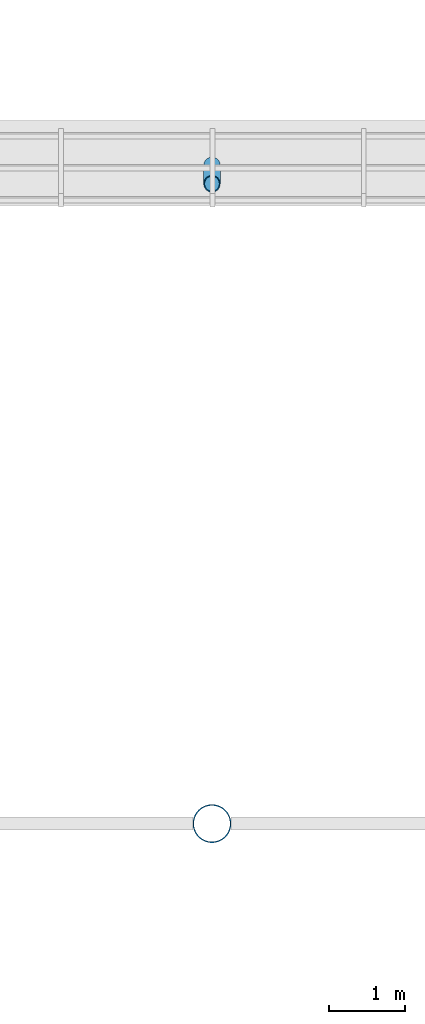
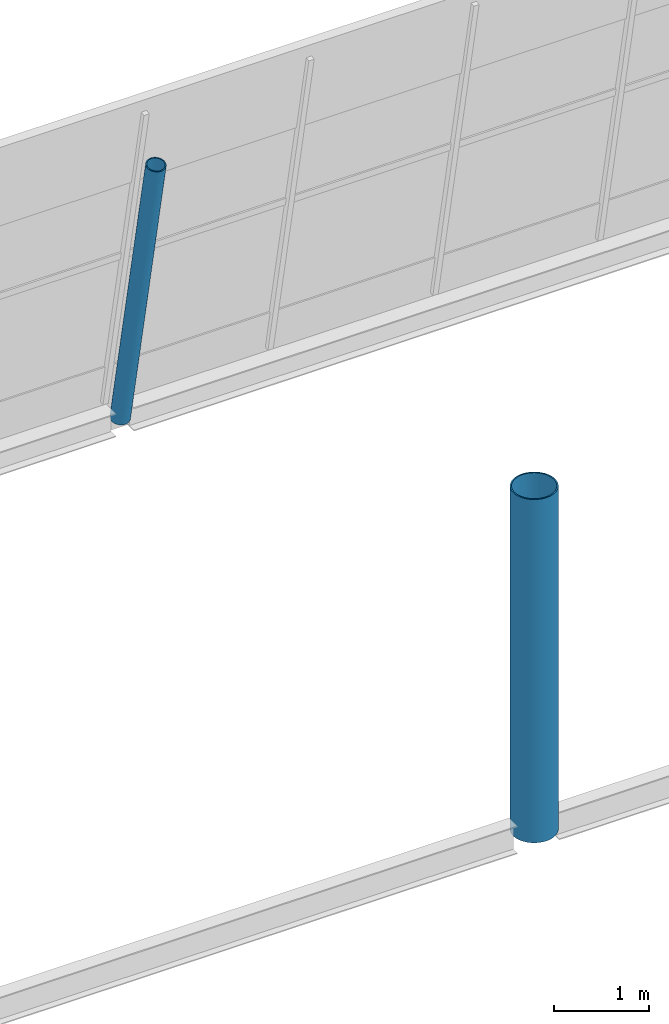
# One storey, part 3 of 50: 2 columns.
"""IFC4 building model written with IfcOpenShell, lengths in metres."""

from ifc_helpers import new_model, si_unit, direction, frame, origin, origin_2d, place, context, subcontext, project, spatial, hollow_circle, extrude, material, material_profile, profile_set, type_object, element, save


model = new_model("IFC4")

# Units and contexts
model_context = context("Model", 3, precision=1e-05, world=origin(), true_north=direction((0.0, 1.0)))
body_context = subcontext(model_context, "Body", "Model", "MODEL_VIEW")
ifc_project = project(units=[si_unit("LENGTHUNIT", "METRE"), si_unit("AREAUNIT", "SQUARE_METRE"), si_unit("VOLUMEUNIT", "CUBIC_METRE"), si_unit("PLANEANGLEUNIT", "RADIAN"), si_unit("MASSUNIT", "GRAM", prefix="KILO")], contexts=[model_context])

# Site, building, storey
site_placement = place(None, origin())
site = spatial("IfcSite", under=ifc_project, at=site_placement, CompositionType="ELEMENT")
building_placement = place(site_placement, origin())
building = spatial("IfcBuilding", under=site, at=building_placement, Name="Windward Yard Aquatics Centre", CompositionType="ELEMENT")
storey_placement = place(building_placement, frame((0.0, 0.0, 18.199951171875)))
storey = spatial("IfcBuildingStorey", under=building, at=storey_placement, Name="L04", CompositionType="ELEMENT", Elevation=18.199951171875)

# Columns
ifc_material = material(Name="Steel ASTM A500 Gr C", Category="steel")
ifc_material_profile_1 = material_profile(ifc_material, hollow_circle(Radius=0.25390625, WallThickness=0.015869140625, at=origin_2d()), Name="HSS508X15.9")
ifc_profile_set_1 = profile_set([ifc_material_profile_1], Name="Steel ASTM A500 Gr C")
column_type_1 = type_object("IfcColumnType", Name="H arch column HSS508X15.9", PredefinedType="COLUMN", material=ifc_profile_set_1)
column_1_placement = place(storey_placement, frame((108.0, 80.39990234375, 0.0), z_axis=(0.0, 0.0, 1.0), x_axis=(1.0, 0.0, 0.0)))
element("IfcColumn", 1, at=column_1_placement, inside=storey, type_object=column_type_1, Name="H.AC.N5.L04", PredefinedType="COLUMN", context=body_context, shape_type="SweptSolid", body=[
    extrude(hollow_circle(Radius=0.25390625, WallThickness=0.015869140625, at=origin_2d()), origin(), (0.0, 0.0, 1.0), 4.400146484375),
])
ifc_material_profile_2 = material_profile(ifc_material, hollow_circle(Radius=0.109619140625, WallThickness=0.0126953125, at=origin_2d()), Name="HSS219.1X12.7")
ifc_profile_set_2 = profile_set([ifc_material_profile_2], Name="Steel ASTM A500 Gr C")
column_type_2 = type_object("IfcColumnType", Name="H tier 2 leg HSS219.1X12.7", PredefinedType="COLUMN", material=ifc_profile_set_2)
column_2_placement = place(storey_placement, frame((108.0, 89.09521484375, 0.0), z_axis=(0.0, -0.199397546047, 0.979918679601), x_axis=(1.0, 0.0, 0.0)))
element("IfcColumn", 2, at=column_2_placement, inside=storey, type_object=column_type_2, Name="H.TL.N5.T2B.L04", PredefinedType="COLUMN", context=body_context, shape_type="SweptSolid", body=[
    extrude(hollow_circle(Radius=0.109619140625, WallThickness=0.0126953125, at=origin_2d()), origin(), (0.0, 0.0, 1.0), 3.776123046875),
])

save(model, "model.ifc")
